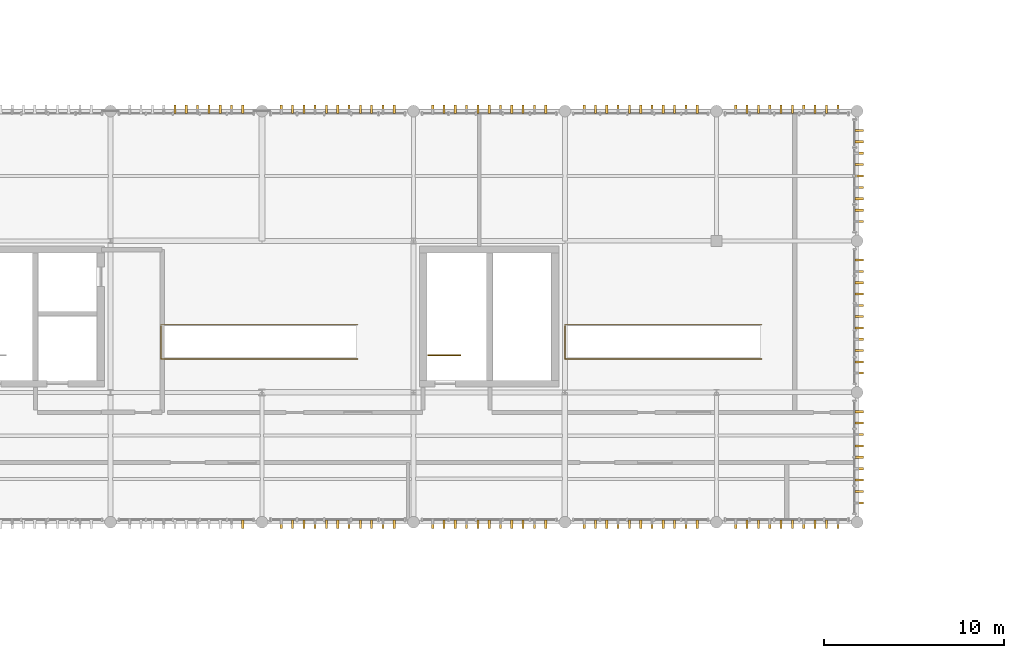
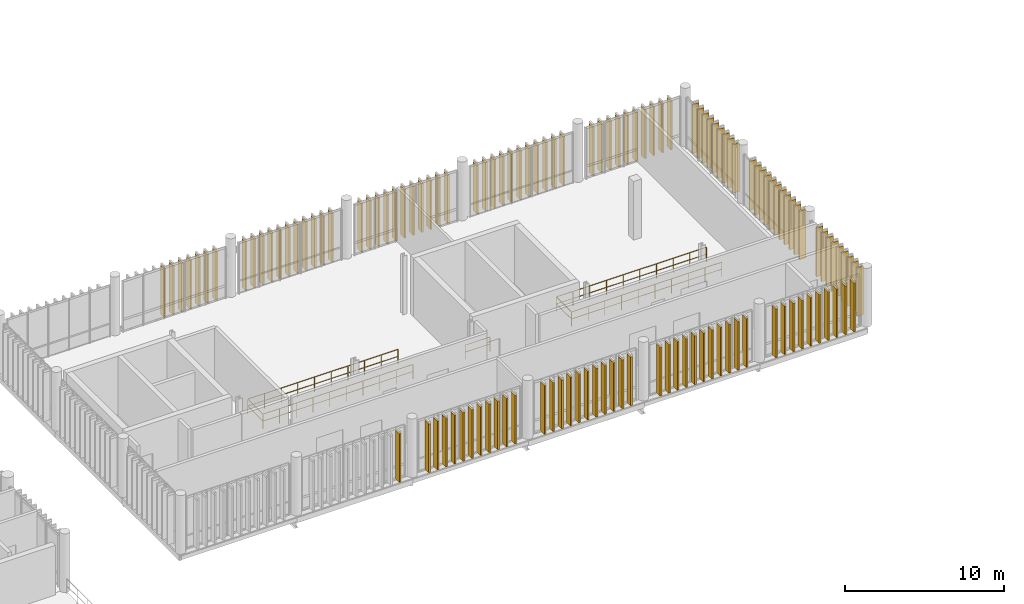
# One storey, part 63 of 66: 123 coverings, 3 railings.
"""IFC4 building model written with IfcOpenShell, lengths in metres."""

from ifc_helpers import new_model, si_unit, direction, frame, frame_2d, origin_with_axes, origin_2d_with_axis, place, context, subcontext, project, spatial, rectangle, circle, extrude, material, type_object, element, save


model = new_model("IFC4")

# Units and contexts
model_context = context("Model", 3, precision=1e-05, world=origin_with_axes(), true_north=direction((0.0, 1.0)))
body_context = subcontext(model_context, "Body", "Model", "MODEL_VIEW")
ifc_project = project(units=[si_unit("LENGTHUNIT", "METRE"), si_unit("AREAUNIT", "SQUARE_METRE"), si_unit("VOLUMEUNIT", "CUBIC_METRE"), si_unit("PLANEANGLEUNIT", "RADIAN"), si_unit("MASSUNIT", "GRAM", prefix="KILO"), si_unit("THERMODYNAMICTEMPERATUREUNIT", "KELVIN")], contexts=[model_context])

# Site, building, storey
site_placement = place(None, origin_with_axes())
site = spatial("IfcSite", under=ifc_project, at=site_placement, CompositionType="ELEMENT")
building_placement = place(site_placement, origin_with_axes())
building = spatial("IfcBuilding", under=site, at=building_placement, Name="Montbau Bow Law Courts", CompositionType="ELEMENT")
storey_placement = place(building_placement, frame((0.0, 0.0, 34.5), z_axis=(0.0, 0.0, 1.0), x_axis=(1.0, 0.0, 0.0)))
storey = spatial("IfcBuildingStorey", under=building, at=storey_placement, Name="L07", CompositionType="ELEMENT", Elevation=34.5)

# Coverings
ifc_material_1 = material(Name="Freeze-Thaw Glazed Warm Cream Ceramic Vertical Louvre", Category="masonry")
covering_type = type_object("IfcCoveringType", Name="CV-LVR-CRM", PredefinedType="CLADDING", material=ifc_material_1)
for number, where, z_axis, x_axis, name in (
    (1, (70.933, 39.13, 34.5), (-1.0, 0.0, 0.0), (0.0, -1.0, 0.0), "CLV-L07-2112:cov_2157"),
    (2, (73.067, 39.13, 34.5), (-1.0, 0.0, 0.0), (0.0, -1.0, 0.0), "CLV-L07-2113:cov_2158"),
    (3, (73.693, 39.13, 34.5), (-1.0, 0.0, 0.0), (0.0, -1.0, 0.0), "CLV-L07-2114:cov_2159"),
    (4, (74.32, 39.13, 34.5), (-1.0, 0.0, 0.0), (0.0, -1.0, 0.0), "CLV-L07-2115:cov_2160"),
    (5, (74.947, 39.13, 34.5), (-1.0, 0.0, 0.0), (0.0, -1.0, 0.0), "CLV-L07-2116:cov_2161"),
    (6, (75.573, 39.13, 34.5), (-1.0, 0.0, 0.0), (0.0, -1.0, 0.0), "CLV-L07-2117:cov_2162"),
    (7, (76.2, 39.13, 34.5), (-1.0, 0.0, 0.0), (0.0, -1.0, 0.0), "CLV-L07-2118:cov_2163"),
    (8, (76.827, 39.13, 34.5), (-1.0, 0.0, 0.0), (0.0, -1.0, 0.0), "CLV-L07-2119:cov_2164"),
    (9, (77.453, 39.13, 34.5), (-1.0, 0.0, 0.0), (0.0, -1.0, 0.0), "CLV-L07-2120:cov_2165"),
    (10, (78.08, 39.13, 34.5), (-1.0, 0.0, 0.0), (0.0, -1.0, 0.0), "CLV-L07-2121:cov_2166"),
    (11, (78.707, 39.13, 34.5), (-1.0, 0.0, 0.0), (0.0, -1.0, 0.0), "CLV-L07-2122:cov_2167"),
    (12, (79.333, 39.13, 34.5), (-1.0, 0.0, 0.0), (0.0, -1.0, 0.0), "CLV-L07-2123:cov_2168"),
    (13, (81.467, 39.13, 34.5), (-1.0, 0.0, 0.0), (0.0, -1.0, 0.0), "CLV-L07-2124:cov_2169"),
    (14, (82.093, 39.13, 34.5), (-1.0, 0.0, 0.0), (0.0, -1.0, 0.0), "CLV-L07-2125:cov_2170"),
    (15, (82.72, 39.13, 34.5), (-1.0, 0.0, 0.0), (0.0, -1.0, 0.0), "CLV-L07-2126:cov_2171"),
    (16, (83.347, 39.13, 34.5), (-1.0, 0.0, 0.0), (0.0, -1.0, 0.0), "CLV-L07-2127:cov_2172"),
    (17, (83.973, 39.13, 34.5), (-1.0, 0.0, 0.0), (0.0, -1.0, 0.0), "CLV-L07-2128:cov_2173"),
    (18, (84.6, 39.13, 34.5), (-1.0, 0.0, 0.0), (0.0, -1.0, 0.0), "CLV-L07-2129:cov_2174"),
    (19, (85.227, 39.13, 34.5), (-1.0, 0.0, 0.0), (0.0, -1.0, 0.0), "CLV-L07-2130:cov_2175"),
    (20, (85.853, 39.13, 34.5), (-1.0, 0.0, 0.0), (0.0, -1.0, 0.0), "CLV-L07-2131:cov_2176"),
    (21, (86.48, 39.13, 34.5), (-1.0, 0.0, 0.0), (0.0, -1.0, 0.0), "CLV-L07-2132:cov_2177"),
    (22, (87.107, 39.13, 34.5), (-1.0, 0.0, 0.0), (0.0, -1.0, 0.0), "CLV-L07-2133:cov_2178"),
    (23, (87.733, 39.13, 34.5), (-1.0, 0.0, 0.0), (0.0, -1.0, 0.0), "CLV-L07-2134:cov_2179"),
    (24, (89.867, 39.13, 34.5), (-1.0, 0.0, 0.0), (0.0, -1.0, 0.0), "CLV-L07-2135:cov_2180"),
    (25, (90.493, 39.13, 34.5), (-1.0, 0.0, 0.0), (0.0, -1.0, 0.0), "CLV-L07-2136:cov_2181"),
    (26, (91.12, 39.13, 34.5), (-1.0, 0.0, 0.0), (0.0, -1.0, 0.0), "CLV-L07-2137:cov_2182"),
    (27, (91.747, 39.13, 34.5), (-1.0, 0.0, 0.0), (0.0, -1.0, 0.0), "CLV-L07-2138:cov_2183"),
    (28, (92.373, 39.13, 34.5), (-1.0, 0.0, 0.0), (0.0, -1.0, 0.0), "CLV-L07-2139:cov_2184"),
    (29, (93.0, 39.13, 34.5), (-1.0, 0.0, 0.0), (0.0, -1.0, 0.0), "CLV-L07-2140:cov_2185"),
    (30, (93.627, 39.13, 34.5), (-1.0, 0.0, 0.0), (0.0, -1.0, 0.0), "CLV-L07-2141:cov_2186"),
    (31, (94.253, 39.13, 34.5), (-1.0, 0.0, 0.0), (0.0, -1.0, 0.0), "CLV-L07-2142:cov_2187"),
    (32, (94.88, 39.13, 34.5), (-1.0, 0.0, 0.0), (0.0, -1.0, 0.0), "CLV-L07-2143:cov_2188"),
    (33, (95.507, 39.13, 34.5), (-1.0, 0.0, 0.0), (0.0, -1.0, 0.0), "CLV-L07-2144:cov_2189"),
    (34, (96.133, 39.13, 34.5), (-1.0, 0.0, 0.0), (0.0, -1.0, 0.0), "CLV-L07-2145:cov_2190"),
    (35, (98.269, 39.13, 34.5), (-1.0, 0.0, 0.0), (0.0, -1.0, 0.0), "CLV-L07-2146:cov_2191"),
    (36, (98.898, 39.13, 34.5), (-1.0, 0.0, 0.0), (0.0, -1.0, 0.0), "CLV-L07-2147:cov_2192"),
    (37, (99.527, 39.13, 34.5), (-1.0, 0.0, 0.0), (0.0, -1.0, 0.0), "CLV-L07-2148:cov_2193"),
    (38, (100.156, 39.13, 34.5), (-1.0, 0.0, 0.0), (0.0, -1.0, 0.0), "CLV-L07-2149:cov_2194"),
    (39, (100.785, 39.13, 34.5), (-1.0, 0.0, 0.0), (0.0, -1.0, 0.0), "CLV-L07-2150:cov_2195"),
    (40, (101.415, 39.13, 34.5), (-1.0, 0.0, 0.0), (0.0, -1.0, 0.0), "CLV-L07-2151:cov_2196"),
    (41, (102.044, 39.13, 34.5), (-1.0, 0.0, 0.0), (0.0, -1.0, 0.0), "CLV-L07-2152:cov_2197"),
    (42, (102.673, 39.13, 34.5), (-1.0, 0.0, 0.0), (0.0, -1.0, 0.0), "CLV-L07-2153:cov_2198"),
    (43, (103.302, 39.13, 34.5), (-1.0, 0.0, 0.0), (0.0, -1.0, 0.0), "CLV-L07-2154:cov_2199"),
    (44, (103.931, 39.13, 34.5), (-1.0, 0.0, 0.0), (0.0, -1.0, 0.0), "CLV-L07-2155:cov_2200"),
    (45, (67.173, 61.67, 34.5), (1.0, 0.0, 0.0), (0.0, 1.0, 0.0), "CLV-L07-2171:cov_2216"),
    (46, (67.8, 61.67, 34.5), (1.0, 0.0, 0.0), (0.0, 1.0, 0.0), "CLV-L07-2172:cov_2217"),
    (47, (68.427, 61.67, 34.5), (1.0, 0.0, 0.0), (0.0, 1.0, 0.0), "CLV-L07-2173:cov_2218"),
    (48, (69.053, 61.67, 34.5), (1.0, 0.0, 0.0), (0.0, 1.0, 0.0), "CLV-L07-2174:cov_2219"),
    (49, (69.68, 61.67, 34.5), (1.0, 0.0, 0.0), (0.0, 1.0, 0.0), "CLV-L07-2175:cov_2220"),
    (50, (70.307, 61.67, 34.5), (1.0, 0.0, 0.0), (0.0, 1.0, 0.0), "CLV-L07-2176:cov_2221"),
    (51, (70.933, 61.67, 34.5), (1.0, 0.0, 0.0), (0.0, 1.0, 0.0), "CLV-L07-2177:cov_2222"),
    (52, (73.067, 61.67, 34.5), (1.0, 0.0, 0.0), (0.0, 1.0, 0.0), "CLV-L07-2178:cov_2223"),
    (53, (73.693, 61.67, 34.5), (1.0, 0.0, 0.0), (0.0, 1.0, 0.0), "CLV-L07-2179:cov_2224"),
    (54, (74.32, 61.67, 34.5), (1.0, 0.0, 0.0), (0.0, 1.0, 0.0), "CLV-L07-2180:cov_2225"),
    (55, (74.947, 61.67, 34.5), (1.0, 0.0, 0.0), (0.0, 1.0, 0.0), "CLV-L07-2181:cov_2226"),
    (56, (75.573, 61.67, 34.5), (1.0, 0.0, 0.0), (0.0, 1.0, 0.0), "CLV-L07-2182:cov_2227"),
    (57, (76.2, 61.67, 34.5), (1.0, 0.0, 0.0), (0.0, 1.0, 0.0), "CLV-L07-2183:cov_2228"),
    (58, (76.827, 61.67, 34.5), (1.0, 0.0, 0.0), (0.0, 1.0, 0.0), "CLV-L07-2184:cov_2229"),
    (59, (77.453, 61.67, 34.5), (1.0, 0.0, 0.0), (0.0, 1.0, 0.0), "CLV-L07-2185:cov_2230"),
    (60, (78.08, 61.67, 34.5), (1.0, 0.0, 0.0), (0.0, 1.0, 0.0), "CLV-L07-2186:cov_2231"),
    (61, (78.707, 61.67, 34.5), (1.0, 0.0, 0.0), (0.0, 1.0, 0.0), "CLV-L07-2187:cov_2232"),
    (62, (79.333, 61.67, 34.5), (1.0, 0.0, 0.0), (0.0, 1.0, 0.0), "CLV-L07-2188:cov_2233"),
    (63, (81.467, 61.67, 34.5), (1.0, 0.0, 0.0), (0.0, 1.0, 0.0), "CLV-L07-2189:cov_2234"),
    (64, (82.093, 61.67, 34.5), (1.0, 0.0, 0.0), (0.0, 1.0, 0.0), "CLV-L07-2190:cov_2235"),
    (65, (82.72, 61.67, 34.5), (1.0, 0.0, 0.0), (0.0, 1.0, 0.0), "CLV-L07-2191:cov_2236"),
    (66, (83.347, 61.67, 34.5), (1.0, 0.0, 0.0), (0.0, 1.0, 0.0), "CLV-L07-2192:cov_2237"),
    (67, (83.973, 61.67, 34.5), (1.0, 0.0, 0.0), (0.0, 1.0, 0.0), "CLV-L07-2193:cov_2238"),
    (68, (84.6, 61.67, 34.5), (1.0, 0.0, 0.0), (0.0, 1.0, 0.0), "CLV-L07-2194:cov_2239"),
    (69, (85.227, 61.67, 34.5), (1.0, 0.0, 0.0), (0.0, 1.0, 0.0), "CLV-L07-2195:cov_2240"),
    (70, (85.853, 61.67, 34.5), (1.0, 0.0, 0.0), (0.0, 1.0, 0.0), "CLV-L07-2196:cov_2241"),
    (71, (86.48, 61.67, 34.5), (1.0, 0.0, 0.0), (0.0, 1.0, 0.0), "CLV-L07-2197:cov_2242"),
    (72, (87.107, 61.67, 34.5), (1.0, 0.0, 0.0), (0.0, 1.0, 0.0), "CLV-L07-2198:cov_2243"),
    (73, (87.733, 61.67, 34.5), (1.0, 0.0, 0.0), (0.0, 1.0, 0.0), "CLV-L07-2199:cov_2244"),
    (74, (89.867, 61.67, 34.5), (1.0, 0.0, 0.0), (0.0, 1.0, 0.0), "CLV-L07-2200:cov_2245"),
    (75, (90.493, 61.67, 34.5), (1.0, 0.0, 0.0), (0.0, 1.0, 0.0), "CLV-L07-2201:cov_2246"),
    (76, (91.12, 61.67, 34.5), (1.0, 0.0, 0.0), (0.0, 1.0, 0.0), "CLV-L07-2202:cov_2247"),
    (77, (91.747, 61.67, 34.5), (1.0, 0.0, 0.0), (0.0, 1.0, 0.0), "CLV-L07-2203:cov_2248"),
    (78, (92.373, 61.67, 34.5), (1.0, 0.0, 0.0), (0.0, 1.0, 0.0), "CLV-L07-2204:cov_2249"),
    (79, (93.0, 61.67, 34.5), (1.0, 0.0, 0.0), (0.0, 1.0, 0.0), "CLV-L07-2205:cov_2250"),
    (80, (93.627, 61.67, 34.5), (1.0, 0.0, 0.0), (0.0, 1.0, 0.0), "CLV-L07-2206:cov_2251"),
    (81, (94.253, 61.67, 34.5), (1.0, 0.0, 0.0), (0.0, 1.0, 0.0), "CLV-L07-2207:cov_2252"),
    (82, (94.88, 61.67, 34.5), (1.0, 0.0, 0.0), (0.0, 1.0, 0.0), "CLV-L07-2208:cov_2253"),
    (83, (95.507, 61.67, 34.5), (1.0, 0.0, 0.0), (0.0, 1.0, 0.0), "CLV-L07-2209:cov_2254"),
    (84, (96.133, 61.67, 34.5), (1.0, 0.0, 0.0), (0.0, 1.0, 0.0), "CLV-L07-2210:cov_2255"),
    (85, (98.269, 61.67, 34.5), (1.0, 0.0, 0.0), (0.0, 1.0, 0.0), "CLV-L07-2211:cov_2256"),
    (86, (98.898, 61.67, 34.5), (1.0, 0.0, 0.0), (0.0, 1.0, 0.0), "CLV-L07-2212:cov_2257"),
    (87, (99.527, 61.67, 34.5), (1.0, 0.0, 0.0), (0.0, 1.0, 0.0), "CLV-L07-2213:cov_2258"),
    (88, (100.156, 61.67, 34.5), (1.0, 0.0, 0.0), (0.0, 1.0, 0.0), "CLV-L07-2214:cov_2259"),
    (89, (100.785, 61.67, 34.5), (1.0, 0.0, 0.0), (0.0, 1.0, 0.0), "CLV-L07-2215:cov_2260"),
    (90, (101.415, 61.67, 34.5), (1.0, 0.0, 0.0), (0.0, 1.0, 0.0), "CLV-L07-2216:cov_2261"),
    (91, (102.044, 61.67, 34.5), (1.0, 0.0, 0.0), (0.0, 1.0, 0.0), "CLV-L07-2217:cov_2262"),
    (92, (102.673, 61.67, 34.5), (1.0, 0.0, 0.0), (0.0, 1.0, 0.0), "CLV-L07-2218:cov_2263"),
    (93, (103.302, 61.67, 34.5), (1.0, 0.0, 0.0), (0.0, 1.0, 0.0), "CLV-L07-2219:cov_2264"),
    (94, (103.931, 61.67, 34.5), (1.0, 0.0, 0.0), (0.0, 1.0, 0.0), "CLV-L07-2220:cov_2265"),
    (95, (104.87, 40.072, 34.5), (0.0, -1.0, 0.0), (1.0, 0.0, 0.0), "CLV-L07-2250:cov_2295"),
    (96, (104.87, 40.704, 34.5), (0.0, -1.0, 0.0), (1.0, 0.0, 0.0), "CLV-L07-2251:cov_2296"),
    (97, (104.87, 41.336, 34.5), (0.0, -1.0, 0.0), (1.0, 0.0, 0.0), "CLV-L07-2252:cov_2297"),
    (98, (104.87, 41.968, 34.5), (0.0, -1.0, 0.0), (1.0, 0.0, 0.0), "CLV-L07-2253:cov_2298"),
    (99, (104.87, 42.6, 34.5), (0.0, -1.0, 0.0), (1.0, 0.0, 0.0), "CLV-L07-2254:cov_2299"),
    (100, (104.87, 43.232, 34.5), (0.0, -1.0, 0.0), (1.0, 0.0, 0.0), "CLV-L07-2255:cov_2300"),
    (101, (104.87, 43.864, 34.5), (0.0, -1.0, 0.0), (1.0, 0.0, 0.0), "CLV-L07-2256:cov_2301"),
    (102, (104.87, 44.496, 34.5), (0.0, -1.0, 0.0), (1.0, 0.0, 0.0), "CLV-L07-2257:cov_2302"),
    (103, (104.87, 45.128, 34.5), (0.0, -1.0, 0.0), (1.0, 0.0, 0.0), "CLV-L07-2258:cov_2303"),
    (104, (104.87, 47.267, 34.5), (0.0, -1.0, 0.0), (1.0, 0.0, 0.0), "CLV-L07-2259:cov_2304"),
    (105, (104.87, 47.893, 34.5), (0.0, -1.0, 0.0), (1.0, 0.0, 0.0), "CLV-L07-2260:cov_2305"),
    (106, (104.87, 48.52, 34.5), (0.0, -1.0, 0.0), (1.0, 0.0, 0.0), "CLV-L07-2261:cov_2306"),
    (107, (104.87, 49.147, 34.5), (0.0, -1.0, 0.0), (1.0, 0.0, 0.0), "CLV-L07-2262:cov_2307"),
    (108, (104.87, 49.773, 34.5), (0.0, -1.0, 0.0), (1.0, 0.0, 0.0), "CLV-L07-2263:cov_2308"),
    (109, (104.87, 50.4, 34.5), (0.0, -1.0, 0.0), (1.0, 0.0, 0.0), "CLV-L07-2264:cov_2309"),
    (110, (104.87, 51.027, 34.5), (0.0, -1.0, 0.0), (1.0, 0.0, 0.0), "CLV-L07-2265:cov_2310"),
    (111, (104.87, 51.653, 34.5), (0.0, -1.0, 0.0), (1.0, 0.0, 0.0), "CLV-L07-2266:cov_2311"),
    (112, (104.87, 52.28, 34.5), (0.0, -1.0, 0.0), (1.0, 0.0, 0.0), "CLV-L07-2267:cov_2312"),
    (113, (104.87, 52.907, 34.5), (0.0, -1.0, 0.0), (1.0, 0.0, 0.0), "CLV-L07-2268:cov_2313"),
    (114, (104.87, 53.533, 34.5), (0.0, -1.0, 0.0), (1.0, 0.0, 0.0), "CLV-L07-2269:cov_2314"),
    (115, (104.87, 55.672, 34.5), (0.0, -1.0, 0.0), (1.0, 0.0, 0.0), "CLV-L07-2270:cov_2315"),
    (116, (104.87, 56.304, 34.5), (0.0, -1.0, 0.0), (1.0, 0.0, 0.0), "CLV-L07-2271:cov_2316"),
    (117, (104.87, 56.936, 34.5), (0.0, -1.0, 0.0), (1.0, 0.0, 0.0), "CLV-L07-2272:cov_2317"),
    (118, (104.87, 57.568, 34.5), (0.0, -1.0, 0.0), (1.0, 0.0, 0.0), "CLV-L07-2273:cov_2318"),
    (119, (104.87, 58.2, 34.5), (0.0, -1.0, 0.0), (1.0, 0.0, 0.0), "CLV-L07-2274:cov_2319"),
    (120, (104.87, 58.832, 34.5), (0.0, -1.0, 0.0), (1.0, 0.0, 0.0), "CLV-L07-2275:cov_2320"),
    (121, (104.87, 59.464, 34.5), (0.0, -1.0, 0.0), (1.0, 0.0, 0.0), "CLV-L07-2276:cov_2321"),
    (122, (104.87, 60.096, 34.5), (0.0, -1.0, 0.0), (1.0, 0.0, 0.0), "CLV-L07-2277:cov_2322"),
    (123, (104.87, 60.728, 34.5), (0.0, -1.0, 0.0), (1.0, 0.0, 0.0), "CLV-L07-2278:cov_2323"),
):
    element("IfcCovering", number, at=place(None, frame(where, z_axis=z_axis, x_axis=x_axis)), inside=storey, type_object=covering_type, Name=name, PredefinedType="CLADDING", context=body_context, shape_type="SweptSolid", body=[
        extrude(rectangle(XDim=0.48, YDim=3.74, at=frame_2d((0.24, 1.87), x_axis=(1.0, 0.0))), frame((0.0, 0.0, -0.06), z_axis=(0.0, 0.0, 1.0), x_axis=(1.0, 0.0, 0.0)), (0.0, 0.0, 1.0), 0.12),
    ])

# Railings
ifc_material_2 = material(Name="Laminated Glass and Bronze Gallery Balustrade", Category="glass")
railing_type_1 = type_object("IfcRailingType", Name="RL-BAL-1120", PredefinedType="BALUSTRADE", material=ifc_material_2)
railing_1_placement = place(None, origin_with_axes())
element("IfcRailing", 124, at=railing_1_placement, inside=storey, type_object=railing_type_1, Name="GRD-OPEN-ST-LIB-01:rlg_0292", PredefinedType="BALUSTRADE", context=body_context, shape_type="SweptSolid", body=[
    extrude(circle(Radius=0.025, at=origin_2d_with_axis()), frame((77.3, 48.05, 35.622), z_axis=(-1.0, 0.0, 0.0), x_axis=(0.0, 0.0, 1.0)), (0.0, 0.0, 1.0), 10.8675),
    extrude(circle(Radius=0.022500000000000003, at=origin_2d_with_axis()), frame((77.3, 48.05, 35.0824), z_axis=(-1.0, 0.0, 0.0), x_axis=(0.0, 0.0, 1.0)), (0.0, 0.0, 1.0), 10.8675),
    extrude(circle(Radius=0.022500000000000003, at=origin_2d_with_axis()), frame((77.3, 48.05, 34.5), z_axis=(0.0, 0.0, 1.0), x_axis=(1.0, 0.0, 0.0)), (0.0, 0.0, 1.0), 1.0925),
    extrude(circle(Radius=0.022500000000000003, at=origin_2d_with_axis()), frame((76.088889, 48.05, 34.5), z_axis=(0.0, 0.0, 1.0), x_axis=(1.0, 0.0, 0.0)), (0.0, 0.0, 1.0), 1.0925),
    extrude(circle(Radius=0.022500000000000003, at=origin_2d_with_axis()), frame((74.877778, 48.05, 34.5), z_axis=(0.0, 0.0, 1.0), x_axis=(1.0, 0.0, 0.0)), (0.0, 0.0, 1.0), 1.0925),
    extrude(circle(Radius=0.022500000000000003, at=origin_2d_with_axis()), frame((73.666667, 48.05, 34.5), z_axis=(0.0, 0.0, 1.0), x_axis=(1.0, 0.0, 0.0)), (0.0, 0.0, 1.0), 1.0925),
    extrude(circle(Radius=0.022500000000000003, at=origin_2d_with_axis()), frame((72.455556, 48.05, 34.5), z_axis=(0.0, 0.0, 1.0), x_axis=(1.0, 0.0, 0.0)), (0.0, 0.0, 1.0), 1.0925),
    extrude(circle(Radius=0.022500000000000003, at=origin_2d_with_axis()), frame((71.244444, 48.05, 34.5), z_axis=(0.0, 0.0, 1.0), x_axis=(1.0, 0.0, 0.0)), (0.0, 0.0, 1.0), 1.0925),
    extrude(circle(Radius=0.022500000000000003, at=origin_2d_with_axis()), frame((70.033333, 48.05, 34.5), z_axis=(0.0, 0.0, 1.0), x_axis=(1.0, 0.0, 0.0)), (0.0, 0.0, 1.0), 1.0925),
    extrude(circle(Radius=0.022500000000000003, at=origin_2d_with_axis()), frame((68.822222, 48.05, 34.5), z_axis=(0.0, 0.0, 1.0), x_axis=(1.0, 0.0, 0.0)), (0.0, 0.0, 1.0), 1.0925),
    extrude(circle(Radius=0.022500000000000003, at=origin_2d_with_axis()), frame((67.611111, 48.05, 34.5), z_axis=(0.0, 0.0, 1.0), x_axis=(1.0, 0.0, 0.0)), (0.0, 0.0, 1.0), 1.0925),
    extrude(circle(Radius=0.022500000000000003, at=origin_2d_with_axis()), frame((66.4, 48.05, 34.5), z_axis=(0.0, 0.0, 1.0), x_axis=(1.0, 0.0, 0.0)), (0.0, 0.0, 1.0), 1.0925),
    extrude(circle(Radius=0.025, at=origin_2d_with_axis()), frame((66.4, 48.0825, 35.622), z_axis=(0.0, 1.0, 0.0), x_axis=(0.0, 0.0, 1.0)), (0.0, 0.0, 1.0), 1.835),
    extrude(circle(Radius=0.022500000000000003, at=origin_2d_with_axis()), frame((66.4, 48.0825, 35.0824), z_axis=(0.0, 1.0, 0.0), x_axis=(0.0, 0.0, 1.0)), (0.0, 0.0, 1.0), 1.835),
    extrude(circle(Radius=0.022500000000000003, at=origin_2d_with_axis()), frame((66.4, 49.95, 34.5), z_axis=(0.0, 0.0, 1.0), x_axis=(1.0, 0.0, 0.0)), (0.0, 0.0, 1.0), 1.0925),
    extrude(circle(Radius=0.025, at=origin_2d_with_axis()), frame((66.4325, 49.95, 35.622), z_axis=(1.0, 0.0, 0.0), x_axis=(0.0, 0.0, 1.0)), (0.0, 0.0, 1.0), 10.8675),
    extrude(circle(Radius=0.022500000000000003, at=origin_2d_with_axis()), frame((66.4325, 49.95, 35.0824), z_axis=(1.0, 0.0, 0.0), x_axis=(0.0, 0.0, 1.0)), (0.0, 0.0, 1.0), 10.8675),
    extrude(circle(Radius=0.022500000000000003, at=origin_2d_with_axis()), frame((67.611111, 49.95, 34.5), z_axis=(0.0, 0.0, 1.0), x_axis=(1.0, 0.0, 0.0)), (0.0, 0.0, 1.0), 1.0925),
    extrude(circle(Radius=0.022500000000000003, at=origin_2d_with_axis()), frame((68.822222, 49.95, 34.5), z_axis=(0.0, 0.0, 1.0), x_axis=(1.0, 0.0, 0.0)), (0.0, 0.0, 1.0), 1.0925),
    extrude(circle(Radius=0.022500000000000003, at=origin_2d_with_axis()), frame((70.033333, 49.95, 34.5), z_axis=(0.0, 0.0, 1.0), x_axis=(1.0, 0.0, 0.0)), (0.0, 0.0, 1.0), 1.0925),
    extrude(circle(Radius=0.022500000000000003, at=origin_2d_with_axis()), frame((71.244444, 49.95, 34.5), z_axis=(0.0, 0.0, 1.0), x_axis=(1.0, 0.0, 0.0)), (0.0, 0.0, 1.0), 1.0925),
    extrude(circle(Radius=0.022500000000000003, at=origin_2d_with_axis()), frame((72.455556, 49.95, 34.5), z_axis=(0.0, 0.0, 1.0), x_axis=(1.0, 0.0, 0.0)), (0.0, 0.0, 1.0), 1.0925),
    extrude(circle(Radius=0.022500000000000003, at=origin_2d_with_axis()), frame((73.666667, 49.95, 34.5), z_axis=(0.0, 0.0, 1.0), x_axis=(1.0, 0.0, 0.0)), (0.0, 0.0, 1.0), 1.0925),
    extrude(circle(Radius=0.022500000000000003, at=origin_2d_with_axis()), frame((74.877778, 49.95, 34.5), z_axis=(0.0, 0.0, 1.0), x_axis=(1.0, 0.0, 0.0)), (0.0, 0.0, 1.0), 1.0925),
    extrude(circle(Radius=0.022500000000000003, at=origin_2d_with_axis()), frame((76.088889, 49.95, 34.5), z_axis=(0.0, 0.0, 1.0), x_axis=(1.0, 0.0, 0.0)), (0.0, 0.0, 1.0), 1.0925),
    extrude(circle(Radius=0.022500000000000003, at=origin_2d_with_axis()), frame((77.3, 49.95, 34.5), z_axis=(0.0, 0.0, 1.0), x_axis=(1.0, 0.0, 0.0)), (0.0, 0.0, 1.0), 1.0925),
])
railing_2_placement = place(None, origin_with_axes())
element("IfcRailing", 125, at=railing_2_placement, inside=storey, type_object=railing_type_1, Name="GRD-OPEN-ST-LIB-02:rlg_0295", PredefinedType="BALUSTRADE", context=body_context, shape_type="SweptSolid", body=[
    extrude(circle(Radius=0.025, at=origin_2d_with_axis()), frame((99.7, 48.05, 35.622), z_axis=(-1.0, 0.0, 0.0), x_axis=(0.0, 0.0, 1.0)), (0.0, 0.0, 1.0), 10.8675),
    extrude(circle(Radius=0.022500000000000003, at=origin_2d_with_axis()), frame((99.7, 48.05, 35.0824), z_axis=(-1.0, 0.0, 0.0), x_axis=(0.0, 0.0, 1.0)), (0.0, 0.0, 1.0), 10.8675),
    extrude(circle(Radius=0.022500000000000003, at=origin_2d_with_axis()), frame((99.7, 48.05, 34.5), z_axis=(0.0, 0.0, 1.0), x_axis=(1.0, 0.0, 0.0)), (0.0, 0.0, 1.0), 1.0925),
    extrude(circle(Radius=0.022500000000000003, at=origin_2d_with_axis()), frame((98.488889, 48.05, 34.5), z_axis=(0.0, 0.0, 1.0), x_axis=(1.0, 0.0, 0.0)), (0.0, 0.0, 1.0), 1.0925),
    extrude(circle(Radius=0.022500000000000003, at=origin_2d_with_axis()), frame((97.277778, 48.05, 34.5), z_axis=(0.0, 0.0, 1.0), x_axis=(1.0, 0.0, 0.0)), (0.0, 0.0, 1.0), 1.0925),
    extrude(circle(Radius=0.022500000000000003, at=origin_2d_with_axis()), frame((96.066667, 48.05, 34.5), z_axis=(0.0, 0.0, 1.0), x_axis=(1.0, 0.0, 0.0)), (0.0, 0.0, 1.0), 1.0925),
    extrude(circle(Radius=0.022500000000000003, at=origin_2d_with_axis()), frame((94.855556, 48.05, 34.5), z_axis=(0.0, 0.0, 1.0), x_axis=(1.0, 0.0, 0.0)), (0.0, 0.0, 1.0), 1.0925),
    extrude(circle(Radius=0.022500000000000003, at=origin_2d_with_axis()), frame((93.644444, 48.05, 34.5), z_axis=(0.0, 0.0, 1.0), x_axis=(1.0, 0.0, 0.0)), (0.0, 0.0, 1.0), 1.0925),
    extrude(circle(Radius=0.022500000000000003, at=origin_2d_with_axis()), frame((92.433333, 48.05, 34.5), z_axis=(0.0, 0.0, 1.0), x_axis=(1.0, 0.0, 0.0)), (0.0, 0.0, 1.0), 1.0925),
    extrude(circle(Radius=0.022500000000000003, at=origin_2d_with_axis()), frame((91.222222, 48.05, 34.5), z_axis=(0.0, 0.0, 1.0), x_axis=(1.0, 0.0, 0.0)), (0.0, 0.0, 1.0), 1.0925),
    extrude(circle(Radius=0.022500000000000003, at=origin_2d_with_axis()), frame((90.011111, 48.05, 34.5), z_axis=(0.0, 0.0, 1.0), x_axis=(1.0, 0.0, 0.0)), (0.0, 0.0, 1.0), 1.0925),
    extrude(circle(Radius=0.022500000000000003, at=origin_2d_with_axis()), frame((88.8, 48.05, 34.5), z_axis=(0.0, 0.0, 1.0), x_axis=(1.0, 0.0, 0.0)), (0.0, 0.0, 1.0), 1.0925),
    extrude(circle(Radius=0.025, at=origin_2d_with_axis()), frame((88.8, 48.0825, 35.622), z_axis=(0.0, 1.0, 0.0), x_axis=(0.0, 0.0, 1.0)), (0.0, 0.0, 1.0), 1.835),
    extrude(circle(Radius=0.022500000000000003, at=origin_2d_with_axis()), frame((88.8, 48.0825, 35.0824), z_axis=(0.0, 1.0, 0.0), x_axis=(0.0, 0.0, 1.0)), (0.0, 0.0, 1.0), 1.835),
    extrude(circle(Radius=0.022500000000000003, at=origin_2d_with_axis()), frame((88.8, 49.95, 34.5), z_axis=(0.0, 0.0, 1.0), x_axis=(1.0, 0.0, 0.0)), (0.0, 0.0, 1.0), 1.0925),
    extrude(circle(Radius=0.025, at=origin_2d_with_axis()), frame((88.8325, 49.95, 35.622), z_axis=(1.0, 0.0, 0.0), x_axis=(0.0, 0.0, 1.0)), (0.0, 0.0, 1.0), 10.8675),
    extrude(circle(Radius=0.022500000000000003, at=origin_2d_with_axis()), frame((88.8325, 49.95, 35.0824), z_axis=(1.0, 0.0, 0.0), x_axis=(0.0, 0.0, 1.0)), (0.0, 0.0, 1.0), 10.8675),
    extrude(circle(Radius=0.022500000000000003, at=origin_2d_with_axis()), frame((90.011111, 49.95, 34.5), z_axis=(0.0, 0.0, 1.0), x_axis=(1.0, 0.0, 0.0)), (0.0, 0.0, 1.0), 1.0925),
    extrude(circle(Radius=0.022500000000000003, at=origin_2d_with_axis()), frame((91.222222, 49.95, 34.5), z_axis=(0.0, 0.0, 1.0), x_axis=(1.0, 0.0, 0.0)), (0.0, 0.0, 1.0), 1.0925),
    extrude(circle(Radius=0.022500000000000003, at=origin_2d_with_axis()), frame((92.433333, 49.95, 34.5), z_axis=(0.0, 0.0, 1.0), x_axis=(1.0, 0.0, 0.0)), (0.0, 0.0, 1.0), 1.0925),
    extrude(circle(Radius=0.022500000000000003, at=origin_2d_with_axis()), frame((93.644444, 49.95, 34.5), z_axis=(0.0, 0.0, 1.0), x_axis=(1.0, 0.0, 0.0)), (0.0, 0.0, 1.0), 1.0925),
    extrude(circle(Radius=0.022500000000000003, at=origin_2d_with_axis()), frame((94.855556, 49.95, 34.5), z_axis=(0.0, 0.0, 1.0), x_axis=(1.0, 0.0, 0.0)), (0.0, 0.0, 1.0), 1.0925),
    extrude(circle(Radius=0.022500000000000003, at=origin_2d_with_axis()), frame((96.066667, 49.95, 34.5), z_axis=(0.0, 0.0, 1.0), x_axis=(1.0, 0.0, 0.0)), (0.0, 0.0, 1.0), 1.0925),
    extrude(circle(Radius=0.022500000000000003, at=origin_2d_with_axis()), frame((97.277778, 49.95, 34.5), z_axis=(0.0, 0.0, 1.0), x_axis=(1.0, 0.0, 0.0)), (0.0, 0.0, 1.0), 1.0925),
    extrude(circle(Radius=0.022500000000000003, at=origin_2d_with_axis()), frame((98.488889, 49.95, 34.5), z_axis=(0.0, 0.0, 1.0), x_axis=(1.0, 0.0, 0.0)), (0.0, 0.0, 1.0), 1.0925),
    extrude(circle(Radius=0.022500000000000003, at=origin_2d_with_axis()), frame((99.7, 49.95, 34.5), z_axis=(0.0, 0.0, 1.0), x_axis=(1.0, 0.0, 0.0)), (0.0, 0.0, 1.0), 1.0925),
])
ifc_material_3 = material(Name="Architectural Bronze-Finished Steel Stair Guard", Category="steel")
railing_type_2 = type_object("IfcRailingType", Name="RL-GRD-1100", PredefinedType="GUARDRAIL", material=ifc_material_3)
railing_3_placement = place(None, origin_with_axes())
element("IfcRailing", 126, at=railing_3_placement, inside=storey, type_object=railing_type_2, Name="SG-ST-P3-L06-TOP:rlg_0156", PredefinedType="GUARDRAIL", context=body_context, shape_type="SweptSolid", body=[
    extrude(circle(Radius=0.0225, at=origin_2d_with_axis()), frame((81.205, 48.26, 35.602), z_axis=(1.0, 0.0, 0.0), x_axis=(0.0, 0.0, 1.0)), (0.0, 0.0, 1.0), 1.805),
    extrude(circle(Radius=0.02025, at=origin_2d_with_axis()), frame((81.205, 48.26, 35.072), z_axis=(1.0, 0.0, 0.0), x_axis=(0.0, 0.0, 1.0)), (0.0, 0.0, 1.0), 1.805),
    extrude(circle(Radius=0.02025, at=origin_2d_with_axis()), frame((81.205, 48.26, 34.5), z_axis=(0.0, 0.0, 1.0), x_axis=(1.0, 0.0, 0.0)), (0.0, 0.0, 1.0), 1.07525),
    extrude(circle(Radius=0.02025, at=origin_2d_with_axis()), frame((83.01, 48.26, 34.5), z_axis=(0.0, 0.0, 1.0), x_axis=(1.0, 0.0, 0.0)), (0.0, 0.0, 1.0), 1.07525),
])

save(model, "model.ifc")
